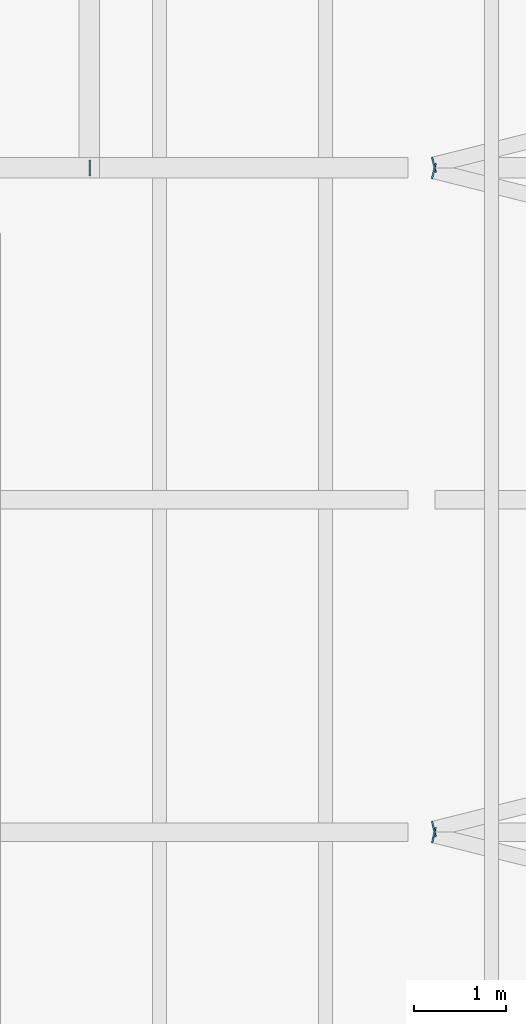
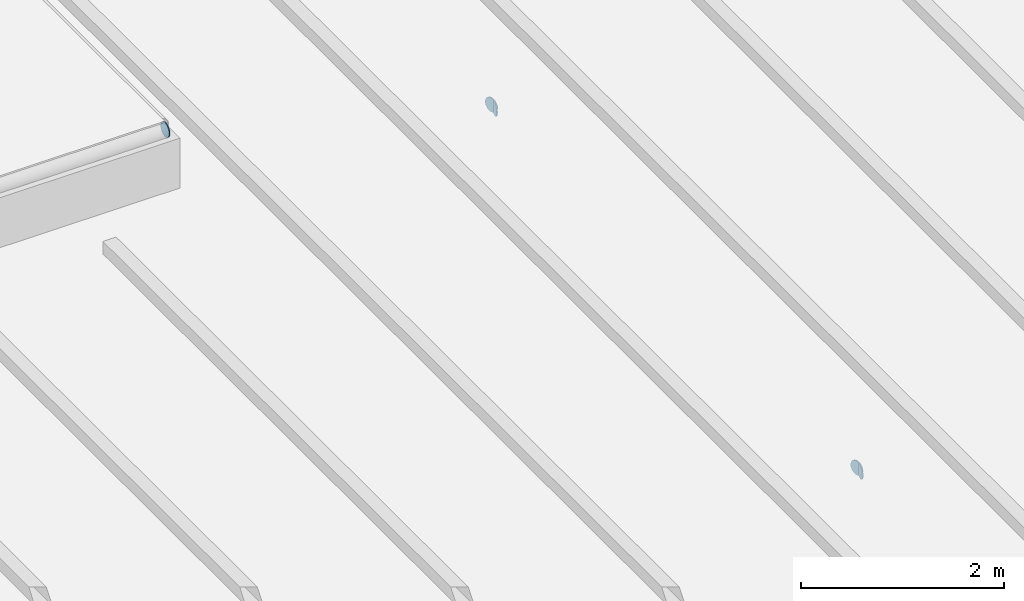
# One storey, part 91 of 120: 5 discrete accessories.
"""IFC4 building model written with IfcOpenShell, lengths in metres."""

from ifc_helpers import new_model, si_unit, direction, frame, origin, origin_2d, place, context, subcontext, project, spatial, circle, extrude, material, layer, layer_set, type_object, element, save


model = new_model("IFC4")

# Units and contexts
model_context = context("Model", 3, precision=1e-05, world=origin(), true_north=direction((0.0, 1.0)))
body_context = subcontext(model_context, "Body", "Model", "MODEL_VIEW")
ifc_project = project(units=[si_unit("LENGTHUNIT", "METRE"), si_unit("AREAUNIT", "SQUARE_METRE"), si_unit("VOLUMEUNIT", "CUBIC_METRE"), si_unit("PLANEANGLEUNIT", "RADIAN"), si_unit("MASSUNIT", "GRAM", prefix="KILO")], contexts=[model_context])

# Site, building, storey
site_placement = place(None, origin())
site = spatial("IfcSite", under=ifc_project, at=site_placement, CompositionType="ELEMENT")
building_placement = place(site_placement, origin())
building = spatial("IfcBuilding", under=site, at=building_placement, Name="Kupolbacken Congress Centre", CompositionType="ELEMENT")
storey_placement = place(building_placement, frame((0.0, 0.0, 21.60009765625)))
storey = spatial("IfcBuildingStorey", under=building, at=storey_placement, Name="L06", CompositionType="ELEMENT", Elevation=21.60009765625)

# Discrete accessories
ifc_material = material(Name="Steel S355", Category="steel")
ifc_layer = layer(ifc_material, 0.011962890625)
ifc_layer_set = layer_set([ifc_layer], Name="Steel S355")
discrete_accessory_type = type_object("IfcDiscreteAccessoryType", Name="EC2 tube end cap plate 168 dia x 12", PredefinedType="BRACKET", material=ifc_layer_set)
for number, where, z_axis, x_axis, name in (
    (1, (151.3408203125, 46.764892578125, -0.084228515625), (-0.974732318528, 0.223376156329, 0.0), (-0.223376156329, -0.974732318528, 0.0), "End cap plate HR/RB/05-00 B"),
    (2, (151.3408203125, 46.835205078125, -0.084228515625), (-0.970142500145, -0.242535625036, 0.0), (0.242535625036, -0.970142500145, 0.0), "End cap plate HR/RB/05-01 A"),
    (3, (151.3408203125, 53.96484375, -0.084228515625), (-0.970142500145, 0.242535625036, 0.0), (-0.242535625036, -0.970142500145, 0.0), "End cap plate HR/RB/05-02 B"),
    (4, (151.3408203125, 54.03515625, -0.084228515625), (-0.970142500145, -0.242535625036, 0.0), (0.242535625036, -0.970142500145, 0.0), "End cap plate HR/RB/05-03 A"),
    (5, (147.60009765625, 54.0, 0.944091796875), (1.0, 0.0, 0.0), (0.0, 1.0, 0.0), "End cap plate RD/RL4/FS B"),
):
    element("IfcDiscreteAccessory", number, at=place(storey_placement, frame(where, z_axis=z_axis, x_axis=x_axis)), inside=storey, type_object=discrete_accessory_type, Name=name, PredefinedType="BRACKET", context=body_context, shape_type="SweptSolid", body=[
        extrude(circle(Radius=0.084228515625, at=origin_2d()), origin(), (0.0, 0.0, 1.0), 0.011962890625),
    ])

save(model, "model.ifc")
